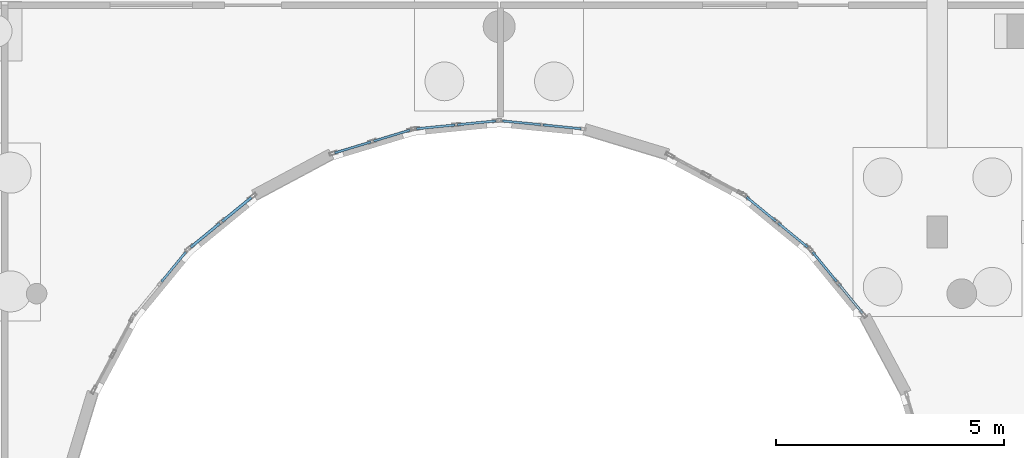
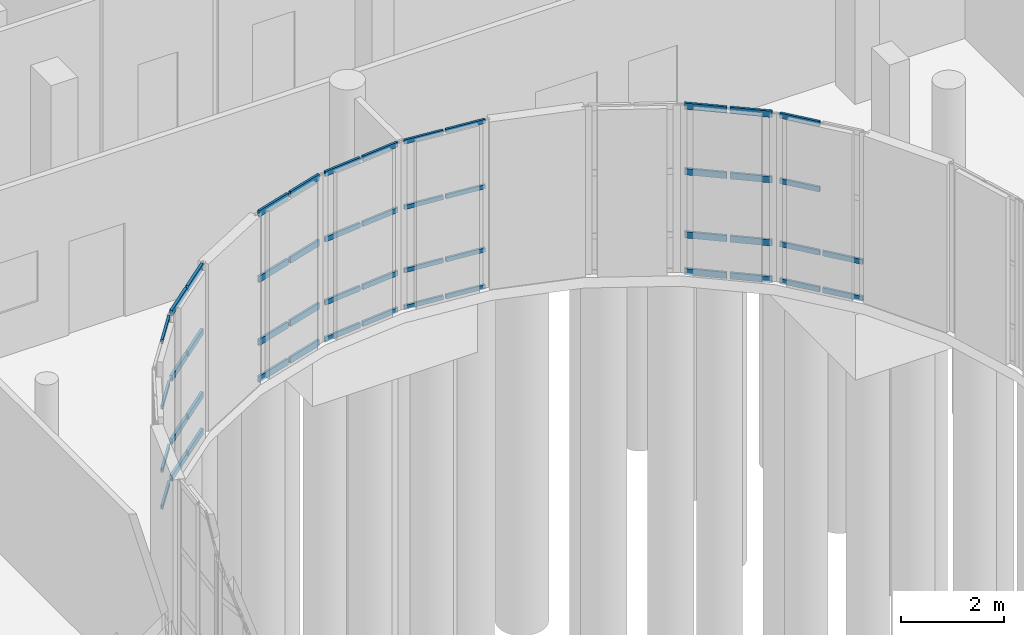
# One storey, part 46 of 93: 50 members, 7 elements without a shape of their own.
"""IFC4 building model written with IfcOpenShell, lengths in metres."""

from ifc_helpers import new_model, si_unit, direction, frame, origin, origin_2d, place, context, subcontext, project, spatial, hollow_rectangle, extrude, material, layer, layer_set, material_profile, profile_set, type_object, element, aggregate, save


model = new_model("IFC4")

# Units and contexts
model_context = context("Model", 3, precision=1e-05, world=origin(), true_north=direction((0.0, 1.0)))
body_context = subcontext(model_context, "Body", "Model", "MODEL_VIEW")
ifc_project = project(units=[si_unit("LENGTHUNIT", "METRE"), si_unit("AREAUNIT", "SQUARE_METRE"), si_unit("VOLUMEUNIT", "CUBIC_METRE"), si_unit("PLANEANGLEUNIT", "RADIAN"), si_unit("MASSUNIT", "GRAM", prefix="KILO")], contexts=[model_context])

# Site, building, storey
site_placement = place(None, origin())
site = spatial("IfcSite", under=ifc_project, at=site_placement, CompositionType="ELEMENT")
building_placement = place(site_placement, origin())
building = spatial("IfcBuilding", under=site, at=building_placement, Name="Kelanivale Promenade Academy", CompositionType="ELEMENT")
storey_placement = place(building_placement, origin())
storey = spatial("IfcBuildingStorey", under=building, at=storey_placement, Name="L00", CompositionType="ELEMENT", Elevation=0.0)

# Curtain wall, members
ifc_material_1 = material(Name="Bronze anodised aluminium and solar-control low-E glass", Category="aluminium")
ifc_layer_1 = layer(ifc_material_1, 0.179931640625)
ifc_layer_set_1 = layer_set([ifc_layer_1], Name="Bronze anodised aluminium and solar-control low-E glass")
curtain_wall_type_1 = type_object("IfcCurtainWallType", Name="CW-05 Curtain Wall 1950mm Module", PredefinedType="USERDEFINED", material=ifc_layer_set_1)
curtain_wall_1_placement = place(storey_placement, origin())
curtain_wall_1 = element("IfcCurtainWall", 1, at=curtain_wall_1_placement, inside=storey, type_object=curtain_wall_type_1, Name="L00 courtyard curtain wall CW-05", ObjectType="UNITISED GLAZING", PredefinedType="USERDEFINED")
ifc_material_2 = material(Name="Bronze anodised aluminium EN AW-6063 T6", Category="aluminium")
ifc_material_profile_1 = material_profile(ifc_material_2, hollow_rectangle(XDim=0.050048828125, YDim=0.10009765625, WallThickness=0.0029296875, at=origin_2d()), Name="ALU 50x100x3.0")
ifc_profile_set_1 = profile_set([ifc_material_profile_1], Name="Bronze anodised aluminium EN AW-6063 T6")
member_type_1 = type_object("IfcMemberType", Name="CWT-01 ALU 50x100x3.0", PredefinedType="USERDEFINED", material=ifc_profile_set_1)
member_1_placement = place(storey_placement, frame((100.59228515625, 66.262939453125, 0.02490234375), z_axis=(-0.995143929023, 0.098430485767, 0.0), x_axis=(-0.098430485767, -0.995143929023, 0.0)))
member_1 = element("IfcMember", 2, at=member_1_placement, type_object=member_type_1, Name="CW-05 transom 1.1", ObjectType="TRANSOM", PredefinedType="USERDEFINED", context=body_context, shape_type="SweptSolid", body=[
    extrude(hollow_rectangle(XDim=0.050048828125, YDim=0.10009765625, WallThickness=0.0029296875, at=origin_2d()), origin(), (0.0, 0.0, 1.0), 0.83349609375),
])
member_2_placement = place(storey_placement, frame((100.59228515625, 66.262939453125, 0.89990234375), z_axis=(-0.995143929023, 0.098430485767, 0.0), x_axis=(-0.098430485767, -0.995143929023, 0.0)))
member_2 = element("IfcMember", 3, at=member_2_placement, type_object=member_type_1, Name="CW-05 transom 1.2", ObjectType="TRANSOM", PredefinedType="USERDEFINED", context=body_context, shape_type="SweptSolid", body=[
    extrude(hollow_rectangle(XDim=0.050048828125, YDim=0.10009765625, WallThickness=0.0029296875, at=origin_2d()), origin(), (0.0, 0.0, 1.0), 0.83349609375),
])
member_3_placement = place(storey_placement, frame((100.59228515625, 66.262939453125, 2.39990234375), z_axis=(-0.995143929023, 0.098430485767, 0.0), x_axis=(-0.098430485767, -0.995143929023, 0.0)))
member_3 = element("IfcMember", 4, at=member_3_placement, type_object=member_type_1, Name="CW-05 transom 1.3", ObjectType="TRANSOM", PredefinedType="USERDEFINED", context=body_context, shape_type="SweptSolid", body=[
    extrude(hollow_rectangle(XDim=0.050048828125, YDim=0.10009765625, WallThickness=0.0029296875, at=origin_2d()), origin(), (0.0, 0.0, 1.0), 0.83349609375),
])
member_4_placement = place(storey_placement, frame((100.59228515625, 66.262939453125, 3.955078125), z_axis=(-0.995143929023, 0.098430485767, 0.0), x_axis=(-0.098430485767, -0.995143929023, 0.0)))
member_4 = element("IfcMember", 5, at=member_4_placement, type_object=member_type_1, Name="CW-05 transom 1.4", ObjectType="TRANSOM", PredefinedType="USERDEFINED", context=body_context, shape_type="SweptSolid", body=[
    extrude(hollow_rectangle(XDim=0.050048828125, YDim=0.10009765625, WallThickness=0.0029296875, at=origin_2d()), origin(), (0.0, 0.0, 1.0), 0.83349609375),
])
member_5_placement = place(storey_placement, frame((99.703125, 66.35107421875, 0.02490234375), z_axis=(-0.995143929023, 0.098430485767, 0.0), x_axis=(-0.098430485767, -0.995143929023, 0.0)))
member_5 = element("IfcMember", 6, at=member_5_placement, type_object=member_type_1, Name="CW-05 transom 2.1", ObjectType="TRANSOM", PredefinedType="USERDEFINED", context=body_context, shape_type="SweptSolid", body=[
    extrude(hollow_rectangle(XDim=0.050048828125, YDim=0.10009765625, WallThickness=0.0029296875, at=origin_2d()), origin(), (0.0, 0.0, 1.0), 0.83349609375),
])
member_6_placement = place(storey_placement, frame((99.703125, 66.35107421875, 0.89990234375), z_axis=(-0.995143929023, 0.098430485767, 0.0), x_axis=(-0.098430485767, -0.995143929023, 0.0)))
member_6 = element("IfcMember", 7, at=member_6_placement, type_object=member_type_1, Name="CW-05 transom 2.2", ObjectType="TRANSOM", PredefinedType="USERDEFINED", context=body_context, shape_type="SweptSolid", body=[
    extrude(hollow_rectangle(XDim=0.050048828125, YDim=0.10009765625, WallThickness=0.0029296875, at=origin_2d()), origin(), (0.0, 0.0, 1.0), 0.83349609375),
])
member_7_placement = place(storey_placement, frame((99.703125, 66.35107421875, 2.39990234375), z_axis=(-0.995143929023, 0.098430485767, 0.0), x_axis=(-0.098430485767, -0.995143929023, 0.0)))
member_7 = element("IfcMember", 8, at=member_7_placement, type_object=member_type_1, Name="CW-05 transom 2.3", ObjectType="TRANSOM", PredefinedType="USERDEFINED", context=body_context, shape_type="SweptSolid", body=[
    extrude(hollow_rectangle(XDim=0.050048828125, YDim=0.10009765625, WallThickness=0.0029296875, at=origin_2d()), origin(), (0.0, 0.0, 1.0), 0.83349609375),
])
member_8_placement = place(storey_placement, frame((99.703125, 66.35107421875, 3.955078125), z_axis=(-0.995143929023, 0.098430485767, 0.0), x_axis=(-0.098430485767, -0.995143929023, 0.0)))
member_8 = element("IfcMember", 9, at=member_8_placement, type_object=member_type_1, Name="CW-05 transom 2.4", ObjectType="TRANSOM", PredefinedType="USERDEFINED", context=body_context, shape_type="SweptSolid", body=[
    extrude(hollow_rectangle(XDim=0.050048828125, YDim=0.10009765625, WallThickness=0.0029296875, at=origin_2d()), origin(), (0.0, 0.0, 1.0), 0.83349609375),
])
aggregate(curtain_wall_1, [member_1, member_2, member_3, member_4, member_5, member_6, member_7, member_8])

ifc_layer_2 = layer(ifc_material_1, 0.159912109375)
ifc_layer_set_2 = layer_set([ifc_layer_2], Name="Bronze anodised aluminium and solar-control low-E glass")
curtain_wall_type_2 = type_object("IfcCurtainWallType", Name="CW-09 Curtain Wall 1650mm Module", PredefinedType="USERDEFINED", material=ifc_layer_set_2)
curtain_wall_2_placement = place(storey_placement, origin())
curtain_wall_2 = element("IfcCurtainWall", 10, at=curtain_wall_2_placement, inside=storey, type_object=curtain_wall_type_2, Name="L00 courtyard curtain wall CW-09", ObjectType="UNITISED GLAZING", PredefinedType="USERDEFINED")
member_9_placement = place(storey_placement, frame((91.93603515625, 63.560546875, 0.02490234375), z_axis=(-0.634169827677, -0.773193785324, 0.0), x_axis=(0.773193785324, -0.634169827677, 0.0)))
member_9 = element("IfcMember", 11, at=member_9_placement, type_object=member_type_1, Name="CW-09 transom 1.1", ObjectType="TRANSOM", PredefinedType="USERDEFINED", context=body_context, shape_type="SweptSolid", body=[
    extrude(hollow_rectangle(XDim=0.050048828125, YDim=0.10009765625, WallThickness=0.0029296875, at=origin_2d()), origin(), (0.0, 0.0, 1.0), 0.841064453125),
])
member_10_placement = place(storey_placement, frame((91.93603515625, 63.560546875, 0.89990234375), z_axis=(-0.634169827677, -0.773193785324, 0.0), x_axis=(0.773193785324, -0.634169827677, 0.0)))
member_10 = element("IfcMember", 12, at=member_10_placement, type_object=member_type_1, Name="CW-09 transom 1.2", ObjectType="TRANSOM", PredefinedType="USERDEFINED", context=body_context, shape_type="SweptSolid", body=[
    extrude(hollow_rectangle(XDim=0.050048828125, YDim=0.10009765625, WallThickness=0.0029296875, at=origin_2d()), origin(), (0.0, 0.0, 1.0), 0.841064453125),
])
member_11_placement = place(storey_placement, frame((91.93603515625, 63.560546875, 2.39990234375), z_axis=(-0.634169827677, -0.773193785324, 0.0), x_axis=(0.773193785324, -0.634169827677, 0.0)))
member_11 = element("IfcMember", 13, at=member_11_placement, type_object=member_type_1, Name="CW-09 transom 1.3", ObjectType="TRANSOM", PredefinedType="USERDEFINED", context=body_context, shape_type="SweptSolid", body=[
    extrude(hollow_rectangle(XDim=0.050048828125, YDim=0.10009765625, WallThickness=0.0029296875, at=origin_2d()), origin(), (0.0, 0.0, 1.0), 0.841064453125),
])
member_12_placement = place(storey_placement, frame((91.93603515625, 63.560546875, 3.955078125), z_axis=(-0.634169827677, -0.773193785324, 0.0), x_axis=(0.773193785324, -0.634169827677, 0.0)))
member_12 = element("IfcMember", 14, at=member_12_placement, type_object=member_type_1, Name="CW-09 transom 1.4", ObjectType="TRANSOM", PredefinedType="USERDEFINED", context=body_context, shape_type="SweptSolid", body=[
    extrude(hollow_rectangle(XDim=0.050048828125, YDim=0.10009765625, WallThickness=0.0029296875, at=origin_2d()), origin(), (0.0, 0.0, 1.0), 0.841064453125),
])
aggregate(curtain_wall_2, [member_9, member_10, member_11, member_12])

ifc_layer_3 = layer(ifc_material_1, 0.179931640625)
ifc_layer_set_3 = layer_set([ifc_layer_3], Name="Bronze anodised aluminium and solar-control low-E glass")
curtain_wall_type_3 = type_object("IfcCurtainWallType", Name="CW-02 Curtain Wall 1500mm Module", PredefinedType="USERDEFINED", material=ifc_layer_set_3)
curtain_wall_3_placement = place(storey_placement, origin())
curtain_wall_3 = element("IfcCurtainWall", 15, at=curtain_wall_3_placement, inside=storey, type_object=curtain_wall_type_3, Name="L00 courtyard curtain wall CW-02", ObjectType="UNITISED GLAZING", PredefinedType="USERDEFINED")
ifc_material_profile_2 = material_profile(ifc_material_2, hollow_rectangle(XDim=0.050048828125, YDim=0.1201171875, WallThickness=0.0029296875, at=origin_2d()), Name="ALU 50x120x3.0")
ifc_profile_set_2 = profile_set([ifc_material_profile_2], Name="Bronze anodised aluminium EN AW-6063 T6")
member_type_2 = type_object("IfcMemberType", Name="CWT-02 ALU 50x120x3.0", PredefinedType="USERDEFINED", material=ifc_profile_set_2)
member_13_placement = place(storey_placement, frame((106.759033203125, 62.225341796875, 0.02490234375), z_axis=(-0.634114614295, 0.773239067778, 0.0), x_axis=(-0.773239067778, -0.634114614295, 0.0)))
member_13 = element("IfcMember", 16, at=member_13_placement, type_object=member_type_2, Name="CW-02 transom 1.1", ObjectType="TRANSOM", PredefinedType="USERDEFINED", context=body_context, shape_type="SweptSolid", body=[
    extrude(hollow_rectangle(XDim=0.050048828125, YDim=0.1201171875, WallThickness=0.0029296875, at=origin_2d()), origin(), (0.0, 0.0, 1.0), 0.83349609375),
])
member_14_placement = place(storey_placement, frame((106.759033203125, 62.225341796875, 0.89990234375), z_axis=(-0.634114614295, 0.773239067778, 0.0), x_axis=(-0.773239067778, -0.634114614295, 0.0)))
member_14 = element("IfcMember", 17, at=member_14_placement, type_object=member_type_2, Name="CW-02 transom 1.2", ObjectType="TRANSOM", PredefinedType="USERDEFINED", context=body_context, shape_type="SweptSolid", body=[
    extrude(hollow_rectangle(XDim=0.050048828125, YDim=0.1201171875, WallThickness=0.0029296875, at=origin_2d()), origin(), (0.0, 0.0, 1.0), 0.83349609375),
])
member_15_placement = place(storey_placement, frame((106.1923828125, 62.916259765625, 0.02490234375), z_axis=(-0.634083092319, 0.773264917111, 0.0), x_axis=(-0.773264917111, -0.634083092319, 0.0)))
member_15 = element("IfcMember", 18, at=member_15_placement, type_object=member_type_2, Name="CW-02 transom 2.1", ObjectType="TRANSOM", PredefinedType="USERDEFINED", context=body_context, shape_type="SweptSolid", body=[
    extrude(hollow_rectangle(XDim=0.050048828125, YDim=0.1201171875, WallThickness=0.0029296875, at=origin_2d()), origin(), (0.0, 0.0, 1.0), 0.833251953125),
])
member_16_placement = place(storey_placement, frame((106.1923828125, 62.916259765625, 0.89990234375), z_axis=(-0.634083092319, 0.773264917111, 0.0), x_axis=(-0.773264917111, -0.634083092319, 0.0)))
member_16 = element("IfcMember", 19, at=member_16_placement, type_object=member_type_2, Name="CW-02 transom 2.2", ObjectType="TRANSOM", PredefinedType="USERDEFINED", context=body_context, shape_type="SweptSolid", body=[
    extrude(hollow_rectangle(XDim=0.050048828125, YDim=0.1201171875, WallThickness=0.0029296875, at=origin_2d()), origin(), (0.0, 0.0, 1.0), 0.833251953125),
])
member_17_placement = place(storey_placement, frame((106.1923828125, 62.916259765625, 2.39990234375), z_axis=(-0.634083092319, 0.773264917111, 0.0), x_axis=(-0.773264917111, -0.634083092319, 0.0)))
member_17 = element("IfcMember", 20, at=member_17_placement, type_object=member_type_2, Name="CW-02 transom 2.3", ObjectType="TRANSOM", PredefinedType="USERDEFINED", context=body_context, shape_type="SweptSolid", body=[
    extrude(hollow_rectangle(XDim=0.050048828125, YDim=0.1201171875, WallThickness=0.0029296875, at=origin_2d()), origin(), (0.0, 0.0, 1.0), 0.833251953125),
])
member_18_placement = place(storey_placement, frame((106.1923828125, 62.916259765625, 3.955078125), z_axis=(-0.634083092319, 0.773264917111, 0.0), x_axis=(-0.773264917111, -0.634083092319, 0.0)))
member_18 = element("IfcMember", 21, at=member_18_placement, type_object=member_type_2, Name="CW-02 transom 2.4", ObjectType="TRANSOM", PredefinedType="USERDEFINED", context=body_context, shape_type="SweptSolid", body=[
    extrude(hollow_rectangle(XDim=0.050048828125, YDim=0.1201171875, WallThickness=0.0029296875, at=origin_2d()), origin(), (0.0, 0.0, 1.0), 0.833251953125),
])
aggregate(curtain_wall_3, [member_13, member_14, member_15, member_16, member_17, member_18])

ifc_layer_4 = layer(ifc_material_1, 0.159912109375)
ifc_layer_set_4 = layer_set([ifc_layer_4], Name="Bronze anodised aluminium and solar-control low-E glass")
curtain_wall_type_4 = type_object("IfcCurtainWallType", Name="CW-06 Curtain Wall 1200mm Module", PredefinedType="USERDEFINED", material=ifc_layer_set_4)
curtain_wall_4_placement = place(storey_placement, origin())
curtain_wall_4 = element("IfcCurtainWall", 22, at=curtain_wall_4_placement, inside=storey, type_object=curtain_wall_type_4, Name="L00 courtyard curtain wall CW-06", ObjectType="UNITISED GLAZING", PredefinedType="USERDEFINED")
member_19_placement = place(storey_placement, frame((98.726318359375, 66.43310546875, 0.02490234375), z_axis=(-0.995145812266, -0.098411444095, 0.0), x_axis=(0.098411444095, -0.995145812266, 0.0)))
member_19 = element("IfcMember", 23, at=member_19_placement, type_object=member_type_2, Name="CW-06 transom 1.1", ObjectType="TRANSOM", PredefinedType="USERDEFINED", context=body_context, shape_type="SweptSolid", body=[
    extrude(hollow_rectangle(XDim=0.050048828125, YDim=0.1201171875, WallThickness=0.0029296875, at=origin_2d()), origin(), (0.0, 0.0, 1.0), 0.841064453125),
])
member_20_placement = place(storey_placement, frame((98.726318359375, 66.43310546875, 0.89990234375), z_axis=(-0.995145812266, -0.098411444095, 0.0), x_axis=(0.098411444095, -0.995145812266, 0.0)))
member_20 = element("IfcMember", 24, at=member_20_placement, type_object=member_type_2, Name="CW-06 transom 1.2", ObjectType="TRANSOM", PredefinedType="USERDEFINED", context=body_context, shape_type="SweptSolid", body=[
    extrude(hollow_rectangle(XDim=0.050048828125, YDim=0.1201171875, WallThickness=0.0029296875, at=origin_2d()), origin(), (0.0, 0.0, 1.0), 0.841064453125),
])
member_21_placement = place(storey_placement, frame((98.726318359375, 66.43310546875, 2.39990234375), z_axis=(-0.995145812266, -0.098411444095, 0.0), x_axis=(0.098411444095, -0.995145812266, 0.0)))
member_21 = element("IfcMember", 25, at=member_21_placement, type_object=member_type_2, Name="CW-06 transom 1.3", ObjectType="TRANSOM", PredefinedType="USERDEFINED", context=body_context, shape_type="SweptSolid", body=[
    extrude(hollow_rectangle(XDim=0.050048828125, YDim=0.1201171875, WallThickness=0.0029296875, at=origin_2d()), origin(), (0.0, 0.0, 1.0), 0.841064453125),
])
member_22_placement = place(storey_placement, frame((98.726318359375, 66.43310546875, 3.955078125), z_axis=(-0.995145812266, -0.098411444095, 0.0), x_axis=(0.098411444095, -0.995145812266, 0.0)))
member_22 = element("IfcMember", 26, at=member_22_placement, type_object=member_type_2, Name="CW-06 transom 1.4", ObjectType="TRANSOM", PredefinedType="USERDEFINED", context=body_context, shape_type="SweptSolid", body=[
    extrude(hollow_rectangle(XDim=0.050048828125, YDim=0.1201171875, WallThickness=0.0029296875, at=origin_2d()), origin(), (0.0, 0.0, 1.0), 0.841064453125),
])
member_23_placement = place(storey_placement, frame((97.82958984375, 66.344482421875, 0.02490234375), z_axis=(-0.995174201639, -0.098123944036, 0.0), x_axis=(0.098123944036, -0.995174201639, 0.0)))
member_23 = element("IfcMember", 27, at=member_23_placement, type_object=member_type_2, Name="CW-06 transom 2.1", ObjectType="TRANSOM", PredefinedType="USERDEFINED", context=body_context, shape_type="SweptSolid", body=[
    extrude(hollow_rectangle(XDim=0.050048828125, YDim=0.1201171875, WallThickness=0.0029296875, at=origin_2d()), origin(), (0.0, 0.0, 1.0), 0.841064453125),
])
member_24_placement = place(storey_placement, frame((97.82958984375, 66.344482421875, 0.89990234375), z_axis=(-0.995174201639, -0.098123944036, 0.0), x_axis=(0.098123944036, -0.995174201639, 0.0)))
member_24 = element("IfcMember", 28, at=member_24_placement, type_object=member_type_2, Name="CW-06 transom 2.2", ObjectType="TRANSOM", PredefinedType="USERDEFINED", context=body_context, shape_type="SweptSolid", body=[
    extrude(hollow_rectangle(XDim=0.050048828125, YDim=0.1201171875, WallThickness=0.0029296875, at=origin_2d()), origin(), (0.0, 0.0, 1.0), 0.841064453125),
])
member_25_placement = place(storey_placement, frame((97.82958984375, 66.344482421875, 2.39990234375), z_axis=(-0.995174201639, -0.098123944036, 0.0), x_axis=(0.098123944036, -0.995174201639, 0.0)))
member_25 = element("IfcMember", 29, at=member_25_placement, type_object=member_type_2, Name="CW-06 transom 2.3", ObjectType="TRANSOM", PredefinedType="USERDEFINED", context=body_context, shape_type="SweptSolid", body=[
    extrude(hollow_rectangle(XDim=0.050048828125, YDim=0.1201171875, WallThickness=0.0029296875, at=origin_2d()), origin(), (0.0, 0.0, 1.0), 0.841064453125),
])
member_26_placement = place(storey_placement, frame((97.82958984375, 66.344482421875, 3.955078125), z_axis=(-0.995174201639, -0.098123944036, 0.0), x_axis=(0.098123944036, -0.995174201639, 0.0)))
member_26 = element("IfcMember", 30, at=member_26_placement, type_object=member_type_2, Name="CW-06 transom 2.4", ObjectType="TRANSOM", PredefinedType="USERDEFINED", context=body_context, shape_type="SweptSolid", body=[
    extrude(hollow_rectangle(XDim=0.050048828125, YDim=0.1201171875, WallThickness=0.0029296875, at=origin_2d()), origin(), (0.0, 0.0, 1.0), 0.841064453125),
])
aggregate(curtain_wall_4, [member_19, member_20, member_21, member_22, member_23, member_24, member_25, member_26])

ifc_layer_5 = layer(ifc_material_1, 0.159912109375)
ifc_layer_set_5 = layer_set([ifc_layer_5], Name="Bronze anodised aluminium and solar-control low-E glass")
curtain_wall_type_5 = type_object("IfcCurtainWallType", Name="CW-03 Curtain Wall 1650mm Module", PredefinedType="USERDEFINED", material=ifc_layer_set_5)
curtain_wall_5_placement = place(storey_placement, origin())
curtain_wall_5 = element("IfcCurtainWall", 31, at=curtain_wall_5_placement, inside=storey, type_object=curtain_wall_type_5, Name="L00 courtyard curtain wall CW-03", ObjectType="UNITISED GLAZING", PredefinedType="USERDEFINED")
ifc_material_profile_3 = material_profile(ifc_material_2, hollow_rectangle(XDim=0.050048828125, YDim=0.14990234375, WallThickness=0.00341796875, at=origin_2d()), Name="ALU 50x150x3.5")
ifc_profile_set_3 = profile_set([ifc_material_profile_3], Name="Bronze anodised aluminium EN AW-6063 T6")
member_type_3 = type_object("IfcMemberType", Name="CWT-03 ALU 50x150x3.5", PredefinedType="USERDEFINED", material=ifc_profile_set_3)
member_27_placement = place(storey_placement, frame((105.556640625, 63.667236328125, 0.02490234375), z_axis=(-0.773239067778, 0.634114614295, 0.0), x_axis=(-0.634114614295, -0.773239067778, 0.0)))
member_27 = element("IfcMember", 32, at=member_27_placement, type_object=member_type_3, Name="CW-03 transom 1.1", ObjectType="TRANSOM", PredefinedType="USERDEFINED", context=body_context, shape_type="SweptSolid", body=[
    extrude(hollow_rectangle(XDim=0.050048828125, YDim=0.14990234375, WallThickness=0.00341796875, at=origin_2d()), origin(), (0.0, 0.0, 1.0), 0.83349609375),
])
member_28_placement = place(storey_placement, frame((105.556640625, 63.667236328125, 0.89990234375), z_axis=(-0.773239067778, 0.634114614295, 0.0), x_axis=(-0.634114614295, -0.773239067778, 0.0)))
member_28 = element("IfcMember", 33, at=member_28_placement, type_object=member_type_3, Name="CW-03 transom 1.2", ObjectType="TRANSOM", PredefinedType="USERDEFINED", context=body_context, shape_type="SweptSolid", body=[
    extrude(hollow_rectangle(XDim=0.050048828125, YDim=0.14990234375, WallThickness=0.00341796875, at=origin_2d()), origin(), (0.0, 0.0, 1.0), 0.83349609375),
])
member_29_placement = place(storey_placement, frame((105.556640625, 63.667236328125, 2.39990234375), z_axis=(-0.773239067778, 0.634114614295, 0.0), x_axis=(-0.634114614295, -0.773239067778, 0.0)))
member_29 = element("IfcMember", 34, at=member_29_placement, type_object=member_type_3, Name="CW-03 transom 1.3", ObjectType="TRANSOM", PredefinedType="USERDEFINED", context=body_context, shape_type="SweptSolid", body=[
    extrude(hollow_rectangle(XDim=0.050048828125, YDim=0.14990234375, WallThickness=0.00341796875, at=origin_2d()), origin(), (0.0, 0.0, 1.0), 0.83349609375),
])
member_30_placement = place(storey_placement, frame((105.556640625, 63.667236328125, 3.955078125), z_axis=(-0.773239067778, 0.634114614295, 0.0), x_axis=(-0.634114614295, -0.773239067778, 0.0)))
member_30 = element("IfcMember", 35, at=member_30_placement, type_object=member_type_3, Name="CW-03 transom 1.4", ObjectType="TRANSOM", PredefinedType="USERDEFINED", context=body_context, shape_type="SweptSolid", body=[
    extrude(hollow_rectangle(XDim=0.050048828125, YDim=0.14990234375, WallThickness=0.00341796875, at=origin_2d()), origin(), (0.0, 0.0, 1.0), 0.83349609375),
])
member_31_placement = place(storey_placement, frame((104.86181640625, 64.237060546875, 0.02490234375), z_axis=(-0.773095462401, 0.634289686197, 0.0), x_axis=(-0.634289686197, -0.773095462401, 0.0)))
member_31 = element("IfcMember", 36, at=member_31_placement, type_object=member_type_3, Name="CW-03 transom 2.1", ObjectType="TRANSOM", PredefinedType="USERDEFINED", context=body_context, shape_type="SweptSolid", body=[
    extrude(hollow_rectangle(XDim=0.050048828125, YDim=0.14990234375, WallThickness=0.00341796875, at=origin_2d()), origin(), (0.0, 0.0, 1.0), 0.833740234375),
])
member_32_placement = place(storey_placement, frame((104.86181640625, 64.237060546875, 0.89990234375), z_axis=(-0.773095462401, 0.634289686197, 0.0), x_axis=(-0.634289686197, -0.773095462401, 0.0)))
member_32 = element("IfcMember", 37, at=member_32_placement, type_object=member_type_3, Name="CW-03 transom 2.2", ObjectType="TRANSOM", PredefinedType="USERDEFINED", context=body_context, shape_type="SweptSolid", body=[
    extrude(hollow_rectangle(XDim=0.050048828125, YDim=0.14990234375, WallThickness=0.00341796875, at=origin_2d()), origin(), (0.0, 0.0, 1.0), 0.833740234375),
])
member_33_placement = place(storey_placement, frame((104.86181640625, 64.237060546875, 2.39990234375), z_axis=(-0.773095462401, 0.634289686197, 0.0), x_axis=(-0.634289686197, -0.773095462401, 0.0)))
member_33 = element("IfcMember", 38, at=member_33_placement, type_object=member_type_3, Name="CW-03 transom 2.3", ObjectType="TRANSOM", PredefinedType="USERDEFINED", context=body_context, shape_type="SweptSolid", body=[
    extrude(hollow_rectangle(XDim=0.050048828125, YDim=0.14990234375, WallThickness=0.00341796875, at=origin_2d()), origin(), (0.0, 0.0, 1.0), 0.833740234375),
])
member_34_placement = place(storey_placement, frame((104.86181640625, 64.237060546875, 3.955078125), z_axis=(-0.773095462401, 0.634289686197, 0.0), x_axis=(-0.634289686197, -0.773095462401, 0.0)))
member_34 = element("IfcMember", 39, at=member_34_placement, type_object=member_type_3, Name="CW-03 transom 2.4", ObjectType="TRANSOM", PredefinedType="USERDEFINED", context=body_context, shape_type="SweptSolid", body=[
    extrude(hollow_rectangle(XDim=0.050048828125, YDim=0.14990234375, WallThickness=0.00341796875, at=origin_2d()), origin(), (0.0, 0.0, 1.0), 0.833740234375),
])
aggregate(curtain_wall_5, [member_27, member_28, member_29, member_30, member_31, member_32, member_33, member_34])

ifc_layer_6 = layer(ifc_material_1, 0.169921875)
ifc_layer_set_6 = layer_set([ifc_layer_6], Name="Bronze anodised aluminium and solar-control low-E glass")
curtain_wall_type_6 = type_object("IfcCurtainWallType", Name="CW-07 Curtain Wall 1350mm Module", PredefinedType="USERDEFINED", material=ifc_layer_set_6)
curtain_wall_6_placement = place(storey_placement, origin())
curtain_wall_6 = element("IfcCurtainWall", 40, at=curtain_wall_6_placement, inside=storey, type_object=curtain_wall_type_6, Name="L00 courtyard curtain wall CW-07", ObjectType="UNITISED GLAZING", PredefinedType="USERDEFINED")
member_35_placement = place(storey_placement, frame((96.84375, 66.232177734375, 0.02490234375), z_axis=(-0.956959754515, -0.290220654396, 0.0), x_axis=(0.290220654396, -0.956959754515, 0.0)))
member_35 = element("IfcMember", 41, at=member_35_placement, type_object=member_type_3, Name="CW-07 transom 1.1", ObjectType="TRANSOM", PredefinedType="USERDEFINED", context=body_context, shape_type="SweptSolid", body=[
    extrude(hollow_rectangle(XDim=0.050048828125, YDim=0.14990234375, WallThickness=0.00341796875, at=origin_2d()), origin(), (0.0, 0.0, 1.0), 0.826171875),
])
member_36_placement = place(storey_placement, frame((96.84375, 66.232177734375, 0.89990234375), z_axis=(-0.956959754515, -0.290220654396, 0.0), x_axis=(0.290220654396, -0.956959754515, 0.0)))
member_36 = element("IfcMember", 42, at=member_36_placement, type_object=member_type_3, Name="CW-07 transom 1.2", ObjectType="TRANSOM", PredefinedType="USERDEFINED", context=body_context, shape_type="SweptSolid", body=[
    extrude(hollow_rectangle(XDim=0.050048828125, YDim=0.14990234375, WallThickness=0.00341796875, at=origin_2d()), origin(), (0.0, 0.0, 1.0), 0.826171875),
])
member_37_placement = place(storey_placement, frame((96.84375, 66.232177734375, 2.39990234375), z_axis=(-0.956959754515, -0.290220654396, 0.0), x_axis=(0.290220654396, -0.956959754515, 0.0)))
member_37 = element("IfcMember", 43, at=member_37_placement, type_object=member_type_3, Name="CW-07 transom 1.3", ObjectType="TRANSOM", PredefinedType="USERDEFINED", context=body_context, shape_type="SweptSolid", body=[
    extrude(hollow_rectangle(XDim=0.050048828125, YDim=0.14990234375, WallThickness=0.00341796875, at=origin_2d()), origin(), (0.0, 0.0, 1.0), 0.826171875),
])
member_38_placement = place(storey_placement, frame((96.84375, 66.232177734375, 3.955078125), z_axis=(-0.956959754515, -0.290220654396, 0.0), x_axis=(0.290220654396, -0.956959754515, 0.0)))
member_38 = element("IfcMember", 44, at=member_38_placement, type_object=member_type_3, Name="CW-07 transom 1.4", ObjectType="TRANSOM", PredefinedType="USERDEFINED", context=body_context, shape_type="SweptSolid", body=[
    extrude(hollow_rectangle(XDim=0.050048828125, YDim=0.14990234375, WallThickness=0.00341796875, at=origin_2d()), origin(), (0.0, 0.0, 1.0), 0.826171875),
])
member_39_placement = place(storey_placement, frame((95.990966796875, 65.9736328125, 0.02490234375), z_axis=(-0.956984636742, -0.290138596258, 0.0), x_axis=(0.290138596258, -0.956984636742, 0.0)))
member_39 = element("IfcMember", 45, at=member_39_placement, type_object=member_type_3, Name="CW-07 transom 2.1", ObjectType="TRANSOM", PredefinedType="USERDEFINED", context=body_context, shape_type="SweptSolid", body=[
    extrude(hollow_rectangle(XDim=0.050048828125, YDim=0.14990234375, WallThickness=0.00341796875, at=origin_2d()), origin(), (0.0, 0.0, 1.0), 0.826416015625),
])
member_40_placement = place(storey_placement, frame((95.990966796875, 65.9736328125, 0.89990234375), z_axis=(-0.956984636742, -0.290138596258, 0.0), x_axis=(0.290138596258, -0.956984636742, 0.0)))
member_40 = element("IfcMember", 46, at=member_40_placement, type_object=member_type_3, Name="CW-07 transom 2.2", ObjectType="TRANSOM", PredefinedType="USERDEFINED", context=body_context, shape_type="SweptSolid", body=[
    extrude(hollow_rectangle(XDim=0.050048828125, YDim=0.14990234375, WallThickness=0.00341796875, at=origin_2d()), origin(), (0.0, 0.0, 1.0), 0.826416015625),
])
member_41_placement = place(storey_placement, frame((95.990966796875, 65.9736328125, 2.39990234375), z_axis=(-0.956984636742, -0.290138596258, 0.0), x_axis=(0.290138596258, -0.956984636742, 0.0)))
member_41 = element("IfcMember", 47, at=member_41_placement, type_object=member_type_3, Name="CW-07 transom 2.3", ObjectType="TRANSOM", PredefinedType="USERDEFINED", context=body_context, shape_type="SweptSolid", body=[
    extrude(hollow_rectangle(XDim=0.050048828125, YDim=0.14990234375, WallThickness=0.00341796875, at=origin_2d()), origin(), (0.0, 0.0, 1.0), 0.826416015625),
])
member_42_placement = place(storey_placement, frame((95.990966796875, 65.9736328125, 3.955078125), z_axis=(-0.956984636742, -0.290138596258, 0.0), x_axis=(0.290138596258, -0.956984636742, 0.0)))
member_42 = element("IfcMember", 48, at=member_42_placement, type_object=member_type_3, Name="CW-07 transom 2.4", ObjectType="TRANSOM", PredefinedType="USERDEFINED", context=body_context, shape_type="SweptSolid", body=[
    extrude(hollow_rectangle(XDim=0.050048828125, YDim=0.14990234375, WallThickness=0.00341796875, at=origin_2d()), origin(), (0.0, 0.0, 1.0), 0.826416015625),
])
aggregate(curtain_wall_6, [member_35, member_36, member_37, member_38, member_39, member_40, member_41, member_42])

ifc_layer_7 = layer(ifc_material_1, 0.179931640625)
ifc_layer_set_7 = layer_set([ifc_layer_7], Name="Bronze anodised aluminium and solar-control low-E glass")
curtain_wall_type_7 = type_object("IfcCurtainWallType", Name="CW-08 Curtain Wall 1500mm Module", PredefinedType="USERDEFINED", material=ifc_layer_set_7)
curtain_wall_7_placement = place(storey_placement, origin())
curtain_wall_7 = element("IfcCurtainWall", 49, at=curtain_wall_7_placement, inside=storey, type_object=curtain_wall_type_7, Name="L00 courtyard curtain wall CW-08", ObjectType="UNITISED GLAZING", PredefinedType="USERDEFINED")
ifc_material_profile_4 = material_profile(ifc_material_2, hollow_rectangle(XDim=0.06005859375, YDim=0.139892578125, WallThickness=0.00341796875, at=origin_2d()), Name="ALU 60x140x3.5")
ifc_profile_set_4 = profile_set([ifc_material_profile_4], Name="Bronze anodised aluminium EN AW-6063 T6")
member_type_4 = type_object("IfcMemberType", Name="CWT-04 ALU 60x140x3.5", PredefinedType="USERDEFINED", material=ifc_profile_set_4)
member_43_placement = place(storey_placement, frame((93.370849609375, 64.755859375, 0.030029296875), z_axis=(-0.7732851825, -0.634058377853, 0.0), x_axis=(0.634058377853, -0.7732851825, 0.0)))
member_43 = element("IfcMember", 50, at=member_43_placement, type_object=member_type_4, Name="CW-08 transom 1.1", ObjectType="TRANSOM", PredefinedType="USERDEFINED", context=body_context, shape_type="SweptSolid", body=[
    extrude(hollow_rectangle(XDim=0.06005859375, YDim=0.139892578125, WallThickness=0.00341796875, at=origin_2d()), origin(), (0.0, 0.0, 1.0), 0.825927734375),
])
member_44_placement = place(storey_placement, frame((93.370849609375, 64.755859375, 0.89990234375), z_axis=(-0.7732851825, -0.634058377853, 0.0), x_axis=(0.634058377853, -0.7732851825, 0.0)))
member_44 = element("IfcMember", 51, at=member_44_placement, type_object=member_type_4, Name="CW-08 transom 1.2", ObjectType="TRANSOM", PredefinedType="USERDEFINED", context=body_context, shape_type="SweptSolid", body=[
    extrude(hollow_rectangle(XDim=0.06005859375, YDim=0.139892578125, WallThickness=0.00341796875, at=origin_2d()), origin(), (0.0, 0.0, 1.0), 0.825927734375),
])
member_45_placement = place(storey_placement, frame((93.370849609375, 64.755859375, 2.39990234375), z_axis=(-0.7732851825, -0.634058377853, 0.0), x_axis=(0.634058377853, -0.7732851825, 0.0)))
member_45 = element("IfcMember", 52, at=member_45_placement, type_object=member_type_4, Name="CW-08 transom 1.3", ObjectType="TRANSOM", PredefinedType="USERDEFINED", context=body_context, shape_type="SweptSolid", body=[
    extrude(hollow_rectangle(XDim=0.06005859375, YDim=0.139892578125, WallThickness=0.00341796875, at=origin_2d()), origin(), (0.0, 0.0, 1.0), 0.825927734375),
])
member_46_placement = place(storey_placement, frame((93.370849609375, 64.755859375, 3.949951171875), z_axis=(-0.7732851825, -0.634058377853, 0.0), x_axis=(0.634058377853, -0.7732851825, 0.0)))
member_46 = element("IfcMember", 53, at=member_46_placement, type_object=member_type_4, Name="CW-08 transom 1.4", ObjectType="TRANSOM", PredefinedType="USERDEFINED", context=body_context, shape_type="SweptSolid", body=[
    extrude(hollow_rectangle(XDim=0.06005859375, YDim=0.139892578125, WallThickness=0.00341796875, at=origin_2d()), origin(), (0.0, 0.0, 1.0), 0.825927734375),
])
member_47_placement = place(storey_placement, frame((92.681884765625, 64.19091796875, 0.030029296875), z_axis=(-0.7732851825, -0.634058377853, 0.0), x_axis=(0.634058377853, -0.7732851825, 0.0)))
member_47 = element("IfcMember", 54, at=member_47_placement, type_object=member_type_4, Name="CW-08 transom 2.1", ObjectType="TRANSOM", PredefinedType="USERDEFINED", context=body_context, shape_type="SweptSolid", body=[
    extrude(hollow_rectangle(XDim=0.06005859375, YDim=0.139892578125, WallThickness=0.00341796875, at=origin_2d()), origin(), (0.0, 0.0, 1.0), 0.825927734375),
])
member_48_placement = place(storey_placement, frame((92.681884765625, 64.19091796875, 0.89990234375), z_axis=(-0.7732851825, -0.634058377853, 0.0), x_axis=(0.634058377853, -0.7732851825, 0.0)))
member_48 = element("IfcMember", 55, at=member_48_placement, type_object=member_type_4, Name="CW-08 transom 2.2", ObjectType="TRANSOM", PredefinedType="USERDEFINED", context=body_context, shape_type="SweptSolid", body=[
    extrude(hollow_rectangle(XDim=0.06005859375, YDim=0.139892578125, WallThickness=0.00341796875, at=origin_2d()), origin(), (0.0, 0.0, 1.0), 0.825927734375),
])
member_49_placement = place(storey_placement, frame((92.681884765625, 64.19091796875, 2.39990234375), z_axis=(-0.7732851825, -0.634058377853, 0.0), x_axis=(0.634058377853, -0.7732851825, 0.0)))
member_49 = element("IfcMember", 56, at=member_49_placement, type_object=member_type_4, Name="CW-08 transom 2.3", ObjectType="TRANSOM", PredefinedType="USERDEFINED", context=body_context, shape_type="SweptSolid", body=[
    extrude(hollow_rectangle(XDim=0.06005859375, YDim=0.139892578125, WallThickness=0.00341796875, at=origin_2d()), origin(), (0.0, 0.0, 1.0), 0.825927734375),
])
member_50_placement = place(storey_placement, frame((92.681884765625, 64.19091796875, 3.949951171875), z_axis=(-0.7732851825, -0.634058377853, 0.0), x_axis=(0.634058377853, -0.7732851825, 0.0)))
member_50 = element("IfcMember", 57, at=member_50_placement, type_object=member_type_4, Name="CW-08 transom 2.4", ObjectType="TRANSOM", PredefinedType="USERDEFINED", context=body_context, shape_type="SweptSolid", body=[
    extrude(hollow_rectangle(XDim=0.06005859375, YDim=0.139892578125, WallThickness=0.00341796875, at=origin_2d()), origin(), (0.0, 0.0, 1.0), 0.825927734375),
])
aggregate(curtain_wall_7, [member_43, member_44, member_45, member_46, member_47, member_48, member_49, member_50])

save(model, "model.ifc")
